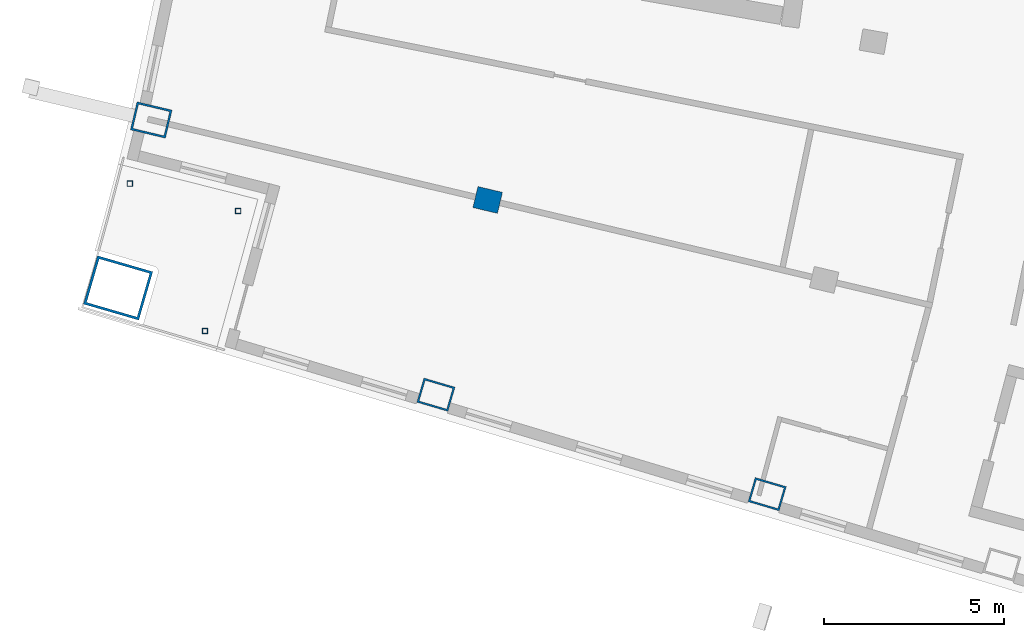
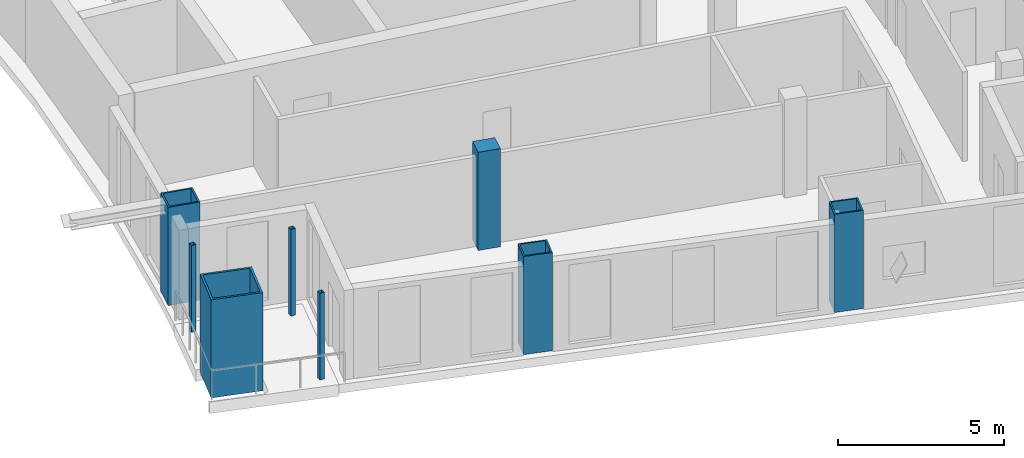
# One storey, part 1 of 17: 8 columns.
"""IFC4 building model written with IfcOpenShell, lengths in metres."""

from ifc_helpers import new_model, si_unit, direction, frame, origin, origin_2d, place, context, subcontext, project, spatial, rectangle, hollow_rectangle, extrude, material, material_profile, profile_set, type_object, element, save


model = new_model("IFC4")

# Units and contexts
model_context = context("Model", 3, precision=1e-05, world=origin(), true_north=direction((0.0, 1.0)))
body_context = subcontext(model_context, "Body", "Model", "MODEL_VIEW")
ifc_project = project(units=[si_unit("LENGTHUNIT", "METRE"), si_unit("AREAUNIT", "SQUARE_METRE"), si_unit("VOLUMEUNIT", "CUBIC_METRE"), si_unit("PLANEANGLEUNIT", "RADIAN"), si_unit("MASSUNIT", "GRAM", prefix="KILO")], contexts=[model_context])

# Site, building, storey
site_placement = place(None, origin())
site = spatial("IfcSite", under=ifc_project, at=site_placement, CompositionType="ELEMENT")
building_placement = place(site_placement, origin())
building = spatial("IfcBuilding", under=site, at=building_placement, Name="Alderwake Tower", CompositionType="ELEMENT")
storey_placement = place(building_placement, frame((0.0, 0.0, 274.39990234375)))
storey = spatial("IfcBuildingStorey", under=building, at=storey_placement, Name="L68", CompositionType="ELEMENT", Elevation=274.39990234375)

# Columns
ifc_material_1 = material(Name="Steel ASTM A572 Grade 50 concrete filled C70/85", Category="concrete")
ifc_material_profile_1 = material_profile(ifc_material_1, hollow_rectangle(XDim=0.699951171875, YDim=0.89990234375, WallThickness=0.050048828125, at=origin_2d()), Name="BOX 900X700X50")
ifc_profile_set_1 = profile_set([ifc_material_profile_1], Name="Steel ASTM A572 Grade 50 concrete filled C70/85")
column_type_1 = type_object("IfcColumnType", Name="End column Z5", PredefinedType="COLUMN", material=ifc_profile_set_1)
for number, where, z_axis, x_axis, name in (
    (1, (21.885498046875, 31.03759765625, 0.0), (0.0, 0.0, 1.0), (0.282132160283, 0.95937554906, 0.0), "Column R02-C1"),
    (2, (31.080322265625, 28.27685546875, 0.0), (0.0, 0.0, 1.0), (0.282582549822, 0.959242984095, 0.0), "Column R02-C2"),
):
    element("IfcColumn", number, at=place(storey_placement, frame(where, z_axis=z_axis, x_axis=x_axis)), inside=storey, type_object=column_type_1, Name=name, PredefinedType="COLUMN", context=body_context, shape_type="SweptSolid", body=[
        extrude(hollow_rectangle(XDim=0.699951171875, YDim=0.89990234375, WallThickness=0.050048828125, at=origin_2d()), origin(), (0.0, 0.0, 1.0), 3.60009765625),
    ])
ifc_material_2 = material(Name="Concrete C70/85", Category="concrete")
ifc_material_profile_2 = material_profile(ifc_material_2, rectangle(XDim=0.60009765625, YDim=0.699951171875, at=origin_2d()), Name="RC 700X600")
ifc_profile_set_2 = profile_set([ifc_material_profile_2], Name="Concrete C70/85")
column_type_2 = type_object("IfcColumnType", Name="Interior column Z5", PredefinedType="COLUMN", material=ifc_profile_set_2)
column_1_placement = place(storey_placement, frame((23.322021484375, 36.444091796875, 0.0), z_axis=(0.0, 0.0, 1.0), x_axis=(0.231221547198, 0.972901123502, 0.0)))
element("IfcColumn", 3, at=column_1_placement, inside=storey, type_object=column_type_2, Name="Column R03-C1", PredefinedType="COLUMN", context=body_context, shape_type="SweptSolid", body=[
    extrude(rectangle(XDim=0.60009765625, YDim=0.699951171875, at=origin_2d()), origin(), (0.0, 0.0, 1.0), 3.60009765625),
])
ifc_material_3 = material(Name="Steel ASTM A500 Grade C", Category="steel")
ifc_material_profile_3 = material_profile(ifc_material_3, hollow_rectangle(XDim=0.15234375, YDim=0.15234375, WallThickness=0.0087890625, at=origin_2d()), Name="HSS6X6X3/8")
ifc_profile_set_3 = profile_set([ifc_material_profile_3], Name="Steel ASTM A500 Grade C")
column_type_3 = type_object("IfcColumnType", Name="Light post HSS6X6X3/8", PredefinedType="COLUMN", material=ifc_profile_set_3)
for number, where, z_axis, x_axis, name in (
    (4, (13.3896484375, 36.896484375, 0.0), (0.0, 0.0, 1.0), (1.0, 0.0, 0.0), "Terrace post RS1"),
    (5, (15.47412109375, 32.805908203125, 0.0), (0.0, 0.0, 1.0), (1.0, 0.0, 0.0), "Terrace post RS2"),
    (6, (16.39501953125, 36.135986328125, 0.0), (0.0, 0.0, 1.0), (1.0, 0.0, 0.0), "Terrace post RS3"),
):
    element("IfcColumn", number, at=place(storey_placement, frame(where, z_axis=z_axis, x_axis=x_axis)), inside=storey, type_object=column_type_3, Name=name, PredefinedType="COLUMN", context=body_context, shape_type="SweptSolid", body=[
        extrude(hollow_rectangle(XDim=0.15234375, YDim=0.15234375, WallThickness=0.0087890625, at=origin_2d()), origin(), (0.0, 0.0, 1.0), 3.18017578125),
    ])
ifc_material_4 = material(Name="Steel ASTM A572 Grade 50 concrete filled C70/85", Category="concrete")
ifc_material_profile_4 = material_profile(ifc_material_4, hollow_rectangle(XDim=1.39990234375, YDim=1.60009765625, WallThickness=0.070068359375, at=origin_2d()), Name="BOX 1600X1400X70")
ifc_profile_set_4 = profile_set([ifc_material_profile_4], Name="Steel ASTM A572 Grade 50 concrete filled C70/85")
column_type_4 = type_object("IfcColumnType", Name="Mega column Z5", PredefinedType="COLUMN", material=ifc_profile_set_4)
column_2_placement = place(storey_placement, frame((13.06298828125, 34.00244140625, 0.0), z_axis=(0.0, 0.0, 1.0), x_axis=(0.278612301868, 0.960403657452, 0.0)))
element("IfcColumn", 7, at=column_2_placement, inside=storey, type_object=column_type_4, Name="Column R02-C0", PredefinedType="COLUMN", context=body_context, shape_type="SweptSolid", body=[
    extrude(hollow_rectangle(XDim=1.39990234375, YDim=1.60009765625, WallThickness=0.070068359375, at=origin_2d()), origin(), (0.0, 0.0, 1.0), 3.60009765625),
])
ifc_material_5 = material(Name="Steel ASTM A572 Grade 50 concrete filled C70/85", Category="concrete")
ifc_material_profile_5 = material_profile(ifc_material_5, hollow_rectangle(XDim=0.800048828125, YDim=1.0, WallThickness=0.054931640625, at=origin_2d()), Name="BOX 1000X800X55")
ifc_profile_set_5 = profile_set([ifc_material_profile_5], Name="Steel ASTM A572 Grade 50 concrete filled C70/85")
column_type_5 = type_object("IfcColumnType", Name="Perimeter column Z5", PredefinedType="COLUMN", material=ifc_profile_set_5)
column_3_placement = place(storey_placement, frame((13.982177734375, 38.6640625, 0.0), z_axis=(0.0, 0.0, 1.0), x_axis=(0.231221547198, 0.972901123502, 0.0)))
element("IfcColumn", 8, at=column_3_placement, inside=storey, type_object=column_type_5, Name="Column R03-C0", PredefinedType="COLUMN", context=body_context, shape_type="SweptSolid", body=[
    extrude(hollow_rectangle(XDim=0.800048828125, YDim=1.0, WallThickness=0.054931640625, at=origin_2d()), origin(), (0.0, 0.0, 1.0), 3.60009765625),
])

save(model, "model.ifc")
